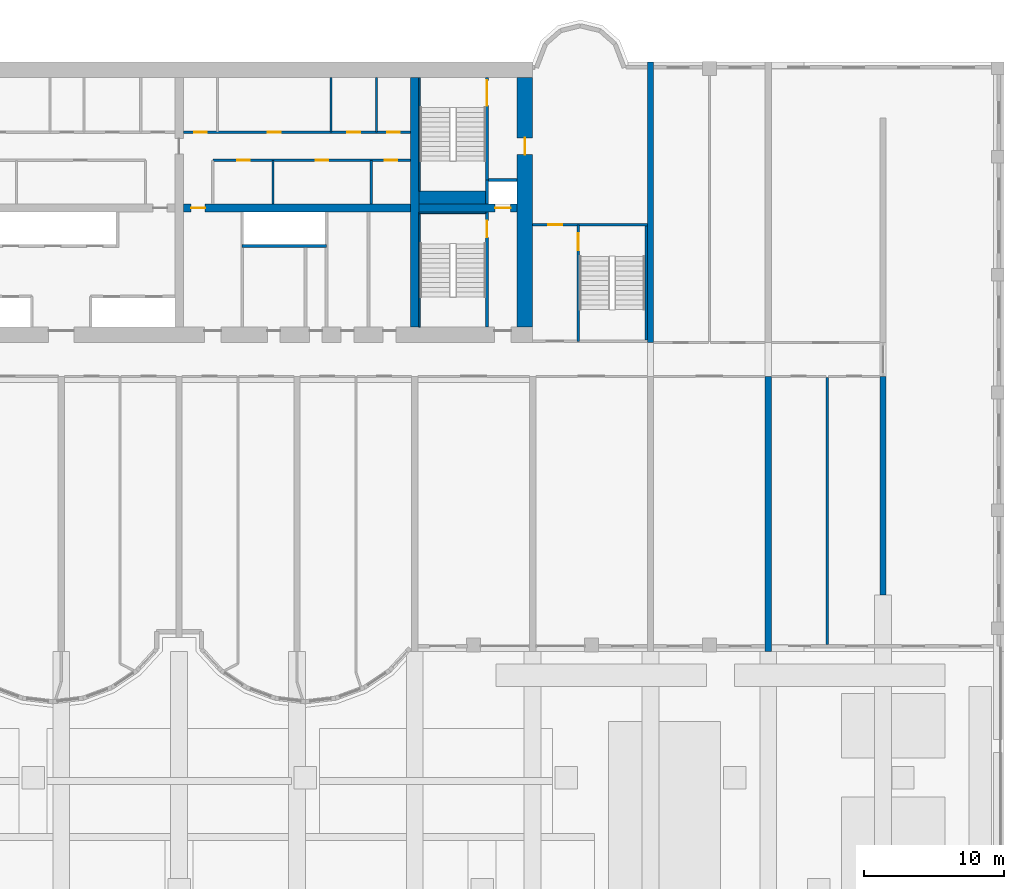
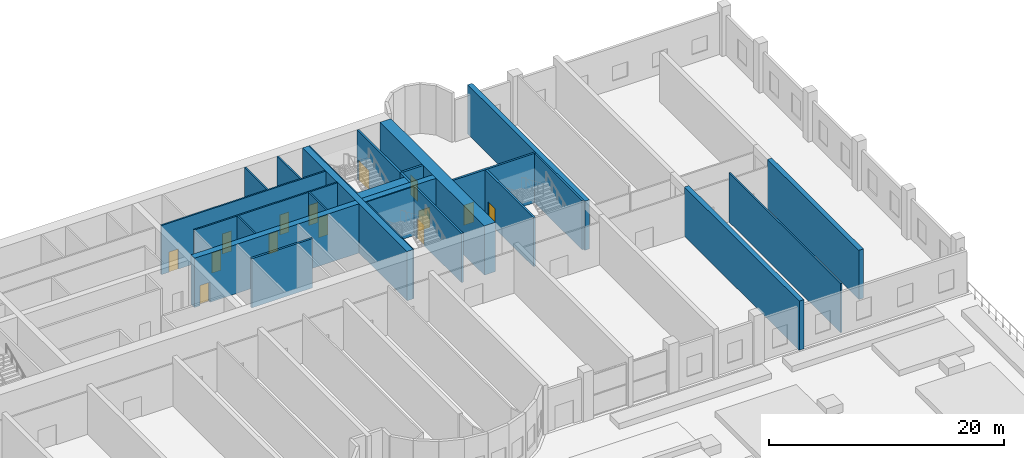
# One storey, part 13 of 20: 26 walls, 14 doors, 14 openings.
"""IFC4 building model written with IfcOpenShell, lengths in metres."""

from ifc_helpers import new_model, si_unit, direction, frame, frame_2d, origin, place, context, subcontext, project, spatial, rectangle, extrude, source, transform, mapped, material, layer, layer_set, type_object, element, fill, save


model = new_model("IFC4")

# Units and contexts
model_context = context("Model", 3, precision=1e-05, world=origin(), true_north=direction((0.0, 1.0)))
body_context = subcontext(model_context, "Body", "Model", "MODEL_VIEW")
ifc_project = project(units=[si_unit("LENGTHUNIT", "METRE"), si_unit("AREAUNIT", "SQUARE_METRE"), si_unit("VOLUMEUNIT", "CUBIC_METRE"), si_unit("PLANEANGLEUNIT", "RADIAN"), si_unit("MASSUNIT", "GRAM", prefix="KILO")], contexts=[model_context])

# Site, building, storey
site_placement = place(None, origin())
site = spatial("IfcSite", under=ifc_project, at=site_placement, CompositionType="ELEMENT")
building_placement = place(site_placement, origin())
building = spatial("IfcBuilding", under=site, at=building_placement, Name="Vanashikhar Sky Hotel", CompositionType="ELEMENT")
storey_placement = place(building_placement, frame((0.0, 0.0, 6.0)))
storey = spatial("IfcBuildingStorey", under=building, at=storey_placement, Name="L01", CompositionType="ELEMENT", Elevation=6.0)

# Wall, opening, door
ifc_material_1 = material(Name="Concrete M80", Category="concrete")
ifc_layer_1 = layer(ifc_material_1, 1.10009765625)
ifc_layer_set_1 = layer_set([ifc_layer_1], Name="RC core shell wall 1100 Concrete M80")
wall_type_1 = type_object("IfcWallType", Name="RC core shell wall 1100 Concrete M80", PredefinedType="SHEAR", material=ifc_layer_set_1)
shared_shape_1 = source(origin(), body_context, "Body", "SweptSolid", [
    extrude(rectangle(XDim=17.7998046875, YDim=1.10009765625, at=frame_2d((8.89990234375, 0.0))), origin(), (0.0, 0.0, 1.0), 5.1201171875),
])
wall_1_placement = place(storey_placement, frame((75.050048828125, 23.10009765625, 0.0), z_axis=(0.0, 0.0, 1.0), x_axis=(0.0, 1.0, 0.0)))
wall_1 = element("IfcWall", 1, at=wall_1_placement, inside=storey, type_object=wall_type_1, Name="KW-L01-KE", PredefinedType="SHEAR", context=body_context, shape_type="MappedRepresentation", body=[
    mapped(shared_shape_1, transform((0.0, 0.0, 0.0), scale=1.0)),
])
shared_shape_2 = source(origin(), body_context, "Body", "SweptSolid", [
    extrude(rectangle(XDim=1.199951171875, YDim=2.10009765625, at=frame_2d((0.60009765625, 1.050048828125))), frame((0.0, 0.56005859375, 0.0), z_axis=(0.0, -1.0, 0.0), x_axis=(1.0, 0.0, 0.0)), (0.0, 0.0, 1.0), 1.1201171875),
])
opening_1_placement = place(wall_1_placement, frame((12.300048828125, 0.0, 0.0)))
opening_1 = element("IfcOpeningElement", 2, at=opening_1_placement, cuts=wall_1, Name="Opening DC-4-D", PredefinedType="OPENING", context=body_context, shape_type="MappedRepresentation", body=[
    mapped(shared_shape_2, transform((0.0, 0.0, 0.0), scale=1.0)),
])
ifc_material_2 = material(Name="Steel", Category="steel")
door_type_1 = type_object("IfcDoorType", Name="Service door 1200 FD120", OperationType="NOTDEFINED", PredefinedType="DOOR", material=ifc_material_2)
shared_shape_3 = source(origin(), body_context, "Body", "SweptSolid", [
    extrude(rectangle(XDim=1.199951171875, YDim=2.10009765625, at=frame_2d((0.60009765625, 1.050048828125))), frame((0.0, 0.02490234375, 0.0), z_axis=(0.0, -1.0, 0.0), x_axis=(1.0, 0.0, 0.0)), (0.0, 0.0, 1.0), 0.050048828125),
])
door_1_placement = place(opening_1_placement, origin())
door_1 = element("IfcDoor", 3, at=door_1_placement, inside=storey, type_object=door_type_1, Name="Service door 1200 FD120", OperationType="SINGLE_SWING_RIGHT", OverallHeight=2.10009765625, OverallWidth=1.199951171875, PredefinedType="DOOR", context=body_context, shape_type="MappedRepresentation", body=[
    mapped(shared_shape_3, transform((0.0, 0.0, 0.0), scale=1.0)),
])
fill(opening_1, door_1)

# Wall
ifc_layer_2 = layer(ifc_material_1, 0.60009765625)
ifc_layer_set_2 = layer_set([ifc_layer_2], Name="RC core inner wall 600 Concrete M80")
wall_type_2 = type_object("IfcWallType", Name="RC core inner wall 600 Concrete M80", PredefinedType="SHEAR", material=ifc_layer_set_2)
shared_shape_4 = source(origin(), body_context, "Body", "SweptSolid", [
    extrude(rectangle(XDim=17.7998046875, YDim=0.60009765625, at=frame_2d((8.89990234375, 0.0))), origin(), (0.0, 0.0, 1.0), 5.1201171875),
])
wall_2_placement = place(storey_placement, frame((67.199951171875, 23.10009765625, 0.0), z_axis=(0.0, 0.0, 1.0), x_axis=(0.0, 1.0, 0.0)))
element("IfcWall", 4, at=wall_2_placement, inside=storey, type_object=wall_type_2, Name="KW-L01-KX3", PredefinedType="SHEAR", context=body_context, shape_type="MappedRepresentation", body=[
    mapped(shared_shape_4, transform((0.0, 0.0, 0.0), scale=1.0)),
])

# Wall, opening, door
shared_shape_5 = source(origin(), body_context, "Body", "SweptSolid", [
    extrude(rectangle(XDim=7.0, YDim=0.60009765625, at=frame_2d((3.5, 0.0))), origin(), (0.0, 0.0, 1.0), 5.1201171875),
])
wall_3_placement = place(storey_placement, frame((67.5, 31.60009765625, 0.0), z_axis=(0.0, 0.0, 1.0), x_axis=(1.0, 0.0, 0.0)))
wall_3 = element("IfcWall", 5, at=wall_3_placement, inside=storey, type_object=wall_type_2, Name="KW-L01-KY4", PredefinedType="SHEAR", context=body_context, shape_type="MappedRepresentation", body=[
    mapped(shared_shape_5, transform((0.0, 0.0, 0.0), scale=1.0)),
])
shared_shape_6 = source(origin(), body_context, "Body", "SweptSolid", [
    extrude(rectangle(XDim=1.10009765625, YDim=2.10009765625, at=frame_2d((0.550048828125, 1.050048828125))), frame((0.0, 0.31005859375, 0.0), z_axis=(0.0, -1.0, 0.0), x_axis=(1.0, 0.0, 0.0)), (0.0, 0.0, 1.0), 0.6201171875),
])
opening_2_placement = place(wall_3_placement, frame((5.425048828125, 0.0, 0.0)))
opening_2 = element("IfcOpeningElement", 6, at=opening_2_placement, cuts=wall_3, Name="Opening LD", PredefinedType="OPENING", context=body_context, shape_type="MappedRepresentation", body=[
    mapped(shared_shape_6, transform((0.0, 0.0, 0.0), scale=1.0)),
])
ifc_material_3 = material(Name="Stainless steel", Category="steel")
door_type_2 = type_object("IfcDoorType", Name="Lift landing door 1100", OperationType="NOTDEFINED", PredefinedType="DOOR", material=ifc_material_3)
shared_shape_7 = source(origin(), body_context, "Body", "SweptSolid", [
    extrude(rectangle(XDim=1.10009765625, YDim=2.10009765625, at=frame_2d((0.550048828125, 1.050048828125))), frame((0.0, 0.02490234375, 0.0), z_axis=(0.0, -1.0, 0.0), x_axis=(1.0, 0.0, 0.0)), (0.0, 0.0, 1.0), 0.050048828125),
])
door_2_placement = place(opening_2_placement, origin())
door_2 = element("IfcDoor", 7, at=door_2_placement, inside=storey, type_object=door_type_2, Name="Lift landing door 1100", OperationType="SLIDING_TO_RIGHT", OverallHeight=2.10009765625, OverallWidth=1.10009765625, PredefinedType="DOOR", context=body_context, shape_type="MappedRepresentation", body=[
    mapped(shared_shape_7, transform((0.0, 0.0, 0.0), scale=1.0)),
])
fill(opening_2, door_2)

shared_shape_8 = source(origin(), body_context, "Body", "SweptSolid", [
    extrude(rectangle(XDim=16.199951171875, YDim=0.60009765625, at=frame_2d((8.10009765625, 0.0))), origin(), (0.0, 0.0, 1.0), 5.1201171875),
])
wall_4_placement = place(storey_placement, frame((50.699951171875, 31.60009765625, 0.0), z_axis=(0.0, 0.0, 1.0), x_axis=(1.0, 0.0, 0.0)))
wall_4 = element("IfcWall", 8, at=wall_4_placement, inside=storey, type_object=wall_type_2, Name="KW-L01-KY3", PredefinedType="SHEAR", context=body_context, shape_type="MappedRepresentation", body=[
    mapped(shared_shape_8, transform((0.0, 0.0, 0.0), scale=1.0)),
])
shared_shape_9 = source(origin(), body_context, "Body", "SweptSolid", [
    extrude(rectangle(XDim=1.0, YDim=2.10009765625, at=frame_2d((0.5, 1.050048828125))), frame((0.0, 0.31005859375, 0.0), z_axis=(0.0, -1.0, 0.0), x_axis=(1.0, 0.0, 0.0)), (0.0, 0.0, 1.0), 0.6201171875),
])
opening_3_placement = place(wall_4_placement, frame((0.550048828125, 0.0, 0.0)))
opening_3 = element("IfcOpeningElement", 9, at=opening_3_placement, cuts=wall_4, Name="Opening DC-4", PredefinedType="OPENING", context=body_context, shape_type="MappedRepresentation", body=[
    mapped(shared_shape_9, transform((0.0, 0.0, 0.0), scale=1.0)),
])
door_type_3 = type_object("IfcDoorType", Name="Service door 1000 FD60", OperationType="NOTDEFINED", PredefinedType="DOOR", material=ifc_material_2)
shared_shape_10 = source(origin(), body_context, "Body", "SweptSolid", [
    extrude(rectangle(XDim=1.0, YDim=2.10009765625, at=frame_2d((0.5, 1.050048828125))), frame((0.0, 0.02490234375, 0.0), z_axis=(0.0, -1.0, 0.0), x_axis=(1.0, 0.0, 0.0)), (0.0, 0.0, 1.0), 0.050048828125),
])
door_3_placement = place(opening_3_placement, origin())
door_3 = element("IfcDoor", 10, at=door_3_placement, inside=storey, type_object=door_type_3, Name="Service door 1000 FD60", OperationType="SINGLE_SWING_RIGHT", OverallHeight=2.10009765625, OverallWidth=1.0, PredefinedType="DOOR", context=body_context, shape_type="MappedRepresentation", body=[
    mapped(shared_shape_10, transform((0.0, 0.0, 0.0), scale=1.0)),
])
fill(opening_3, door_3)

# Walls
ifc_layer_3 = layer(ifc_material_1, 0.449951171875)
ifc_layer_set_3 = layer_set([ifc_layer_3], Name="RC shear wall 450 Concrete M80")
wall_type_3 = type_object("IfcWallType", Name="RC shear wall 450 Concrete M80", PredefinedType="SHEAR", material=ifc_layer_set_3)
shared_shape_11 = source(origin(), body_context, "Body", "SweptSolid", [
    extrude(rectangle(XDim=15.60009765625, YDim=0.449951171875, at=frame_2d((7.800048828125, 0.0))), origin(), (0.0, 0.0, 1.0), 5.1201171875),
])
wall_5_placement = place(storey_placement, frame((100.574951171875, 4.0, 0.0), z_axis=(0.0, 0.0, 1.0), x_axis=(0.0, 1.0, 0.0)))
element("IfcWall", 11, at=wall_5_placement, inside=storey, type_object=wall_type_3, Name="CW-L01-XW13-1", PredefinedType="SHEAR", context=body_context, shape_type="MappedRepresentation", body=[
    mapped(shared_shape_11, transform((0.0, 0.0, 0.0), scale=1.0)),
])
shared_shape_12 = source(origin(), body_context, "Body", "SweptSolid", [
    extrude(rectangle(XDim=19.60009765625, YDim=0.449951171875, at=frame_2d((9.800048828125, 0.0))), origin(), (0.0, 0.0, 1.0), 5.1201171875),
])
wall_6_placement = place(storey_placement, frame((92.39990234375, 0.0, 0.0), z_axis=(0.0, 0.0, 1.0), x_axis=(0.0, 1.0, 0.0)))
element("IfcWall", 12, at=wall_6_placement, inside=storey, type_object=wall_type_3, Name="CW-L01-XW12-1", PredefinedType="SHEAR", context=body_context, shape_type="MappedRepresentation", body=[
    mapped(shared_shape_12, transform((0.0, 0.0, 0.0), scale=1.0)),
])
shared_shape_13 = source(origin(), body_context, "Body", "SweptSolid", [
    extrude(rectangle(XDim=20.0, YDim=0.449951171875, at=frame_2d((10.0, 0.0))), origin(), (0.0, 0.0, 1.0), 5.1201171875),
])
wall_7_placement = place(storey_placement, frame((84.0, 22.0, 0.0), z_axis=(0.0, 0.0, 1.0), x_axis=(0.0, 1.0, 0.0)))
element("IfcWall", 13, at=wall_7_placement, inside=storey, type_object=wall_type_3, Name="CW-L01-XW11-2", PredefinedType="SHEAR", context=body_context, shape_type="MappedRepresentation", body=[
    mapped(shared_shape_13, transform((0.0, 0.0, 0.0), scale=1.0)),
])
ifc_material_4 = material(Name="Concrete M40", Category="concrete")
ifc_layer_4 = layer(ifc_material_4, 0.199951171875)
ifc_layer_set_4 = layer_set([ifc_layer_4], Name="Shaft wall 200")
wall_type_4 = type_object("IfcWallType", Name="Shaft wall 200", PredefinedType="SOLIDWALL", material=ifc_layer_set_4)
shared_shape_14 = source(origin(), body_context, "Body", "SweptSolid", [
    extrude(rectangle(XDim=6.0, YDim=0.199951171875, at=frame_2d((3.0, 0.0))), origin(), (0.0, 0.0, 1.0), 5.1201171875),
])
wall_8_placement = place(storey_placement, frame((60.89990234375, 28.89990234375, 0.0), z_axis=(0.0, 0.0, 1.0), x_axis=(-1.0, 0.0, 0.0)))
element("IfcWall", 14, at=wall_8_placement, inside=storey, type_object=wall_type_4, Name="Shaft wall 200", PredefinedType="SOLIDWALL", context=body_context, shape_type="MappedRepresentation", body=[
    mapped(shared_shape_14, transform((0.0, 0.0, 0.0), scale=1.0)),
])
ifc_material_5 = material(Name="Gypsum board partition")
ifc_layer_5 = layer(ifc_material_5, 0.14990234375)
ifc_layer_set_5 = layer_set([ifc_layer_5], Name="Service partition 150")
wall_type_5 = type_object("IfcWallType", Name="Service partition 150", PredefinedType="PARTITIONING", material=ifc_layer_set_5)
shared_shape_15 = source(origin(), body_context, "Body", "SweptSolid", [
    extrude(rectangle(XDim=3.10009765625, YDim=0.14990234375, at=frame_2d((1.550048828125, 0.0))), origin(), (0.0, 0.0, 1.0), 5.1201171875),
])
for number, where, z_axis, x_axis, name in (
    (15, (64.094970703125, 31.89990234375, 0.0), (0.0, 0.0, 1.0), (0.0, 1.0, 0.0), "Service partition 150"),
    (16, (57.08203125, 31.89990234375, 0.0), (0.0, 0.0, 1.0), (0.0, 1.0, 0.0), "Service partition 150"),
):
    element("IfcWall", number, at=place(storey_placement, frame(where, z_axis=z_axis, x_axis=x_axis)), inside=storey, type_object=wall_type_5, Name=name, PredefinedType="PARTITIONING", context=body_context, shape_type="MappedRepresentation", body=[
        mapped(shared_shape_15, transform((0.0, 0.0, 0.0), scale=1.0)),
    ])
shared_shape_16 = source(origin(), body_context, "Body", "SweptSolid", [
    extrude(rectangle(XDim=3.89990234375, YDim=0.14990234375, at=frame_2d((1.949951171875, 0.0))), origin(), (0.0, 0.0, 1.0), 5.1201171875),
])
for number, where, z_axis, x_axis, name in (
    (17, (64.469970703125, 37.0, 0.0), (0.0, 0.0, 1.0), (0.0, 1.0, 0.0), "Service partition 150"),
    (18, (61.22998046875, 37.0, 0.0), (0.0, 0.0, 1.0), (0.0, 1.0, 0.0), "Service partition 150"),
):
    element("IfcWall", number, at=place(storey_placement, frame(where, z_axis=z_axis, x_axis=x_axis)), inside=storey, type_object=wall_type_5, Name=name, PredefinedType="PARTITIONING", context=body_context, shape_type="MappedRepresentation", body=[
        mapped(shared_shape_16, transform((0.0, 0.0, 0.0), scale=1.0)),
    ])

# Wall, openings, doors
shared_shape_17 = source(origin(), body_context, "Body", "SweptSolid", [
    extrude(rectangle(XDim=14.099853515625, YDim=0.14990234375, at=frame_2d((7.0498046875, 0.0))), origin(), (0.0, 0.0, 1.0), 5.1201171875),
])
wall_9_placement = place(storey_placement, frame((66.89990234375, 35.0, 0.0), z_axis=(0.0, 0.0, 1.0), x_axis=(-1.0, 0.0, 0.0)))
wall_9 = element("IfcWall", 19, at=wall_9_placement, inside=storey, type_object=wall_type_5, Name="Service partition 150", PredefinedType="PARTITIONING", context=body_context, shape_type="MappedRepresentation", body=[
    mapped(shared_shape_17, transform((0.0, 0.0, 0.0), scale=1.0)),
])
shared_shape_18 = source(origin(), body_context, "Body", "SweptSolid", [
    extrude(rectangle(XDim=0.89990234375, YDim=2.10009765625, at=frame_2d((0.449951171875, 1.050048828125))), frame((0.0, 0.0849609375, 0.0), z_axis=(0.0, -1.0, 0.0), x_axis=(1.0, 0.0, 0.0)), (0.0, 0.0, 1.0), 0.169921875),
])
opening_4_placement = place(wall_9_placement, frame((0.951904296875, 0.0, 0.0)))
opening_4 = element("IfcOpeningElement", 20, at=opening_4_placement, cuts=wall_9, Name="Opening DC-4-A", PredefinedType="OPENING", context=body_context, shape_type="MappedRepresentation", body=[
    mapped(shared_shape_18, transform((0.0, 0.0, 0.0), scale=1.0)),
])
opening_5_placement = place(wall_9_placement, frame((5.861083984375, 0.0, 0.0)))
opening_5 = element("IfcOpeningElement", 21, at=opening_5_placement, cuts=wall_9, Name="Opening DC-4-A", PredefinedType="OPENING", context=body_context, shape_type="MappedRepresentation", body=[
    mapped(shared_shape_18, transform((0.0, 0.0, 0.0), scale=1.0)),
])
opening_6_placement = place(wall_9_placement, frame((11.470947265625, 0.0, 0.0)))
opening_6 = element("IfcOpeningElement", 22, at=opening_6_placement, cuts=wall_9, Name="Opening DC-4-A", PredefinedType="OPENING", context=body_context, shape_type="MappedRepresentation", body=[
    mapped(shared_shape_18, transform((0.0, 0.0, 0.0), scale=1.0)),
])
door_type_4 = type_object("IfcDoorType", Name="Service door 900 FD60", OperationType="NOTDEFINED", PredefinedType="DOOR", material=ifc_material_2)
shared_shape_19 = source(origin(), body_context, "Body", "SweptSolid", [
    extrude(rectangle(XDim=0.89990234375, YDim=2.10009765625, at=frame_2d((0.449951171875, 1.050048828125))), frame((0.0, 0.02490234375, 0.0), z_axis=(0.0, -1.0, 0.0), x_axis=(1.0, 0.0, 0.0)), (0.0, 0.0, 1.0), 0.050048828125),
])
door_4_placement = place(opening_4_placement, origin())
door_4 = element("IfcDoor", 23, at=door_4_placement, inside=storey, type_object=door_type_4, Name="Service door 900 FD60", OperationType="SINGLE_SWING_RIGHT", OverallHeight=2.10009765625, OverallWidth=0.89990234375, PredefinedType="DOOR", context=body_context, shape_type="MappedRepresentation", body=[
    mapped(shared_shape_19, transform((0.0, 0.0, 0.0), scale=1.0)),
])
fill(opening_4, door_4)
door_5_placement = place(opening_5_placement, origin())
door_5 = element("IfcDoor", 24, at=door_5_placement, inside=storey, type_object=door_type_4, Name="Service door 900 FD60", OperationType="SINGLE_SWING_RIGHT", OverallHeight=2.10009765625, OverallWidth=0.89990234375, PredefinedType="DOOR", context=body_context, shape_type="MappedRepresentation", body=[
    mapped(shared_shape_19, transform((0.0, 0.0, 0.0), scale=1.0)),
])
fill(opening_5, door_5)
door_6_placement = place(opening_6_placement, origin())
door_6 = element("IfcDoor", 25, at=door_6_placement, inside=storey, type_object=door_type_4, Name="Service door 900 FD60", OperationType="SINGLE_SWING_LEFT", OverallHeight=2.10009765625, OverallWidth=0.89990234375, PredefinedType="DOOR", context=body_context, shape_type="MappedRepresentation", body=[
    mapped(shared_shape_19, transform((0.0, 0.0, 0.0), scale=1.0)),
])
fill(opening_6, door_6)

shared_shape_20 = source(origin(), body_context, "Body", "SweptSolid", [
    extrude(rectangle(XDim=16.199951171875, YDim=0.14990234375, at=frame_2d((8.10009765625, 0.0))), origin(), (0.0, 0.0, 1.0), 5.1201171875),
])
wall_10_placement = place(storey_placement, frame((66.89990234375, 37.0, 0.0), z_axis=(0.0, 0.0, 1.0), x_axis=(-1.0, 0.0, 0.0)))
wall_10 = element("IfcWall", 26, at=wall_10_placement, inside=storey, type_object=wall_type_5, Name="Service partition 150", PredefinedType="PARTITIONING", context=body_context, shape_type="MappedRepresentation", body=[
    mapped(shared_shape_20, transform((0.0, 0.0, 0.0), scale=1.0)),
])
opening_7_placement = place(wall_10_placement, frame((0.764892578125, 0.0, 0.0)))
opening_7 = element("IfcOpeningElement", 27, at=opening_7_placement, cuts=wall_10, Name="Opening DC-4-A", PredefinedType="OPENING", context=body_context, shape_type="MappedRepresentation", body=[
    mapped(shared_shape_18, transform((0.0, 0.0, 0.0), scale=1.0)),
])
opening_8_placement = place(wall_10_placement, frame((3.60009765625, 0.0, 0.0)))
opening_8 = element("IfcOpeningElement", 28, at=opening_8_placement, cuts=wall_10, Name="Opening DC-4-A", PredefinedType="OPENING", context=body_context, shape_type="MappedRepresentation", body=[
    mapped(shared_shape_18, transform((0.0, 0.0, 0.0), scale=1.0)),
])
opening_9_placement = place(wall_10_placement, frame((9.27001953125, 0.0, 0.0)))
opening_9 = element("IfcOpeningElement", 29, at=opening_9_placement, cuts=wall_10, Name="Opening DC-4-A", PredefinedType="OPENING", context=body_context, shape_type="MappedRepresentation", body=[
    mapped(shared_shape_18, transform((0.0, 0.0, 0.0), scale=1.0)),
])
opening_10_placement = place(wall_10_placement, frame((14.534912109375, 0.0, 0.0)))
opening_10 = element("IfcOpeningElement", 30, at=opening_10_placement, cuts=wall_10, Name="Opening DC-4-A", PredefinedType="OPENING", context=body_context, shape_type="MappedRepresentation", body=[
    mapped(shared_shape_18, transform((0.0, 0.0, 0.0), scale=1.0)),
])
door_7_placement = place(opening_7_placement, origin())
door_7 = element("IfcDoor", 31, at=door_7_placement, inside=storey, type_object=door_type_4, Name="Service door 900 FD60", OperationType="SINGLE_SWING_LEFT", OverallHeight=2.10009765625, OverallWidth=0.89990234375, PredefinedType="DOOR", context=body_context, shape_type="MappedRepresentation", body=[
    mapped(shared_shape_19, transform((0.0, 0.0, 0.0), scale=1.0)),
])
fill(opening_7, door_7)
door_8_placement = place(opening_8_placement, origin())
door_8 = element("IfcDoor", 32, at=door_8_placement, inside=storey, type_object=door_type_4, Name="Service door 900 FD60", OperationType="SINGLE_SWING_LEFT", OverallHeight=2.10009765625, OverallWidth=0.89990234375, PredefinedType="DOOR", context=body_context, shape_type="MappedRepresentation", body=[
    mapped(shared_shape_19, transform((0.0, 0.0, 0.0), scale=1.0)),
])
fill(opening_8, door_8)
door_9_placement = place(opening_9_placement, origin())
door_9 = element("IfcDoor", 33, at=door_9_placement, inside=storey, type_object=door_type_4, Name="Service door 900 FD60", OperationType="SINGLE_SWING_RIGHT", OverallHeight=2.10009765625, OverallWidth=0.89990234375, PredefinedType="DOOR", context=body_context, shape_type="MappedRepresentation", body=[
    mapped(shared_shape_19, transform((0.0, 0.0, 0.0), scale=1.0)),
])
fill(opening_9, door_9)
door_10_placement = place(opening_10_placement, origin())
door_10 = element("IfcDoor", 34, at=door_10_placement, inside=storey, type_object=door_type_4, Name="Service door 900 FD60", OperationType="SINGLE_SWING_RIGHT", OverallHeight=2.10009765625, OverallWidth=0.89990234375, PredefinedType="DOOR", context=body_context, shape_type="MappedRepresentation", body=[
    mapped(shared_shape_19, transform((0.0, 0.0, 0.0), scale=1.0)),
])
fill(opening_10, door_10)

# Wall, opening, door
ifc_material_6 = material(Name="Concrete M50", Category="concrete")
ifc_layer_6 = layer(ifc_material_6, 0.199951171875)
ifc_layer_set_6 = layer_set([ifc_layer_6], Name="Stair wall 200")
wall_type_6 = type_object("IfcWallType", Name="Stair wall 200", PredefinedType="SOLIDWALL", material=ifc_layer_set_6)
shared_shape_21 = source(origin(), body_context, "Body", "SweptSolid", [
    extrude(rectangle(XDim=8.199951171875, YDim=0.199951171875, at=frame_2d((4.10009765625, 0.0))), origin(), (0.0, 0.0, 1.0), 5.1201171875),
])
wall_11_placement = place(storey_placement, frame((72.35009765625, 23.10009765625, 0.0), z_axis=(0.0, 0.0, 1.0), x_axis=(0.0, 1.0, 0.0)))
wall_11 = element("IfcWall", 35, at=wall_11_placement, inside=storey, type_object=wall_type_6, Name="Stair wall 200", PredefinedType="SOLIDWALL", context=body_context, shape_type="MappedRepresentation", body=[
    mapped(shared_shape_21, transform((0.0, 0.0, 0.0), scale=1.0)),
])
shared_shape_22 = source(origin(), body_context, "Body", "SweptSolid", [
    extrude(rectangle(XDim=1.199951171875, YDim=2.10009765625, at=frame_2d((0.60009765625, 1.050048828125))), frame((0.0, 0.10986328125, 0.0), z_axis=(0.0, -1.0, 0.0), x_axis=(1.0, 0.0, 0.0)), (0.0, 0.0, 1.0), 0.219970703125),
])
opening_11_placement = place(wall_11_placement, frame((6.39990234375, 0.0, 0.0)))
opening_11 = element("IfcOpeningElement", 36, at=opening_11_placement, cuts=wall_11, Name="Opening DC-1", PredefinedType="OPENING", context=body_context, shape_type="MappedRepresentation", body=[
    mapped(shared_shape_22, transform((0.0, 0.0, 0.0), scale=1.0)),
])
door_type_5 = type_object("IfcDoorType", Name="Stair door 1200 FD120", OperationType="NOTDEFINED", PredefinedType="DOOR", material=ifc_material_2)
door_11_placement = place(opening_11_placement, origin())
door_11 = element("IfcDoor", 37, at=door_11_placement, inside=storey, type_object=door_type_5, Name="Stair door 1200 FD120", OperationType="SINGLE_SWING_LEFT", OverallHeight=2.10009765625, OverallWidth=1.199951171875, PredefinedType="DOOR", context=body_context, shape_type="MappedRepresentation", body=[
    mapped(shared_shape_3, transform((0.0, 0.0, 0.0), scale=1.0)),
])
fill(opening_11, door_11)

# Wall
shared_shape_23 = source(origin(), body_context, "Body", "SweptSolid", [
    extrude(rectangle(XDim=1.7001953125, YDim=0.199951171875, at=frame_2d((0.85009765625, 0.0))), origin(), (0.0, 0.0, 1.0), 5.1201171875),
])
wall_12_placement = place(storey_placement, frame((72.35009765625, 31.89990234375, 0.0), z_axis=(0.0, 0.0, 1.0), x_axis=(0.0, 1.0, 0.0)))
element("IfcWall", 38, at=wall_12_placement, inside=storey, type_object=wall_type_4, Name="Shaft wall 200", PredefinedType="SOLIDWALL", context=body_context, shape_type="MappedRepresentation", body=[
    mapped(shared_shape_23, transform((0.0, 0.0, 0.0), scale=1.0)),
])

# Wall, opening, door
shared_shape_24 = source(origin(), body_context, "Body", "SweptSolid", [
    extrude(rectangle(XDim=7.2998046875, YDim=0.199951171875, at=frame_2d((3.64990234375, 0.0))), origin(), (0.0, 0.0, 1.0), 5.1201171875),
])
wall_13_placement = place(storey_placement, frame((72.35009765625, 33.60009765625, 0.0), z_axis=(0.0, 0.0, 1.0), x_axis=(0.0, 1.0, 0.0)))
wall_13 = element("IfcWall", 39, at=wall_13_placement, inside=storey, type_object=wall_type_6, Name="Stair wall 200", PredefinedType="SOLIDWALL", context=body_context, shape_type="MappedRepresentation", body=[
    mapped(shared_shape_24, transform((0.0, 0.0, 0.0), scale=1.0)),
])
shared_shape_25 = source(origin(), body_context, "Body", "SweptSolid", [
    extrude(rectangle(XDim=1.800048828125, YDim=2.10009765625, at=frame_2d((0.89990234375, 1.050048828125))), frame((0.0, 0.10986328125, 0.0), z_axis=(0.0, -1.0, 0.0), x_axis=(1.0, 0.0, 0.0)), (0.0, 0.0, 1.0), 0.219970703125),
])
opening_12_placement = place(wall_13_placement, frame((5.300048828125, 0.0, 0.0)))
opening_12 = element("IfcOpeningElement", 40, at=opening_12_placement, cuts=wall_13, Name="Opening DC-1-A", PredefinedType="OPENING", context=body_context, shape_type="MappedRepresentation", body=[
    mapped(shared_shape_25, transform((0.0, 0.0, 0.0), scale=1.0)),
])
door_type_6 = type_object("IfcDoorType", Name="Stair door 1800 FD120", OperationType="NOTDEFINED", PredefinedType="DOOR", material=ifc_material_2)
shared_shape_26 = source(origin(), body_context, "Body", "SweptSolid", [
    extrude(rectangle(XDim=1.800048828125, YDim=2.10009765625, at=frame_2d((0.89990234375, 1.050048828125))), frame((0.0, 0.02490234375, 0.0), z_axis=(0.0, -1.0, 0.0), x_axis=(1.0, 0.0, 0.0)), (0.0, 0.0, 1.0), 0.050048828125),
])
door_12_placement = place(opening_12_placement, origin())
door_12 = element("IfcDoor", 41, at=door_12_placement, inside=storey, type_object=door_type_6, Name="Stair door 1800 FD120", OperationType="SINGLE_SWING_LEFT", OverallHeight=2.10009765625, OverallWidth=1.800048828125, PredefinedType="DOOR", context=body_context, shape_type="MappedRepresentation", body=[
    mapped(shared_shape_26, transform((0.0, 0.0, 0.0), scale=1.0)),
])
fill(opening_12, door_12)

# Wall
shared_shape_27 = source(origin(), body_context, "Body", "SweptSolid", [
    extrude(rectangle(XDim=2.050048828125, YDim=0.199951171875, at=frame_2d((1.02490234375, 0.0))), origin(), (0.0, 0.0, 1.0), 5.1201171875),
])
wall_14_placement = place(storey_placement, frame((72.449951171875, 33.60009765625, 0.0), z_axis=(0.0, 0.0, 1.0), x_axis=(1.0, 0.0, 0.0)))
element("IfcWall", 42, at=wall_14_placement, inside=storey, type_object=wall_type_4, Name="Shaft wall 200", PredefinedType="SOLIDWALL", context=body_context, shape_type="MappedRepresentation", body=[
    mapped(shared_shape_27, transform((0.0, 0.0, 0.0), scale=1.0)),
])

# Wall, opening, door
shared_shape_28 = source(origin(), body_context, "Body", "SweptSolid", [
    extrude(rectangle(XDim=8.2998046875, YDim=0.199951171875, at=frame_2d((4.14990234375, 0.0))), origin(), (0.0, 0.0, 1.0), 5.1201171875),
])
wall_15_placement = place(storey_placement, frame((78.85009765625, 22.10009765625, 0.0), z_axis=(0.0, 0.0, 1.0), x_axis=(0.0, 1.0, 0.0)))
wall_15 = element("IfcWall", 43, at=wall_15_placement, inside=storey, type_object=wall_type_6, Name="Stair wall 200", PredefinedType="SOLIDWALL", context=body_context, shape_type="MappedRepresentation", body=[
    mapped(shared_shape_28, transform((0.0, 0.0, 0.0), scale=1.0)),
])
opening_13_placement = place(wall_15_placement, frame((6.5, 0.0, 0.0)))
opening_13 = element("IfcOpeningElement", 44, at=opening_13_placement, cuts=wall_15, Name="Opening DC-1", PredefinedType="OPENING", context=body_context, shape_type="MappedRepresentation", body=[
    mapped(shared_shape_22, transform((0.0, 0.0, 0.0), scale=1.0)),
])
door_13_placement = place(opening_13_placement, origin())
door_13 = element("IfcDoor", 45, at=door_13_placement, inside=storey, type_object=door_type_5, Name="Stair door 1200 FD120", OperationType="SINGLE_SWING_RIGHT", OverallHeight=2.10009765625, OverallWidth=1.199951171875, PredefinedType="DOOR", context=body_context, shape_type="MappedRepresentation", body=[
    mapped(shared_shape_3, transform((0.0, 0.0, 0.0), scale=1.0)),
])
fill(opening_13, door_13)

shared_shape_29 = source(origin(), body_context, "Body", "SweptSolid", [
    extrude(rectangle(XDim=8.1748046875, YDim=0.199951171875, at=frame_2d((4.08740234375, 0.0))), origin(), (0.0, 0.0, 1.0), 5.1201171875),
])
wall_16_placement = place(storey_placement, frame((83.77490234375, 30.39990234375, 0.0), z_axis=(0.0, 0.0, 1.0), x_axis=(-1.0, 0.0, 0.0)))
wall_16 = element("IfcWall", 46, at=wall_16_placement, inside=storey, type_object=wall_type_6, Name="Stair wall 200", PredefinedType="SOLIDWALL", context=body_context, shape_type="MappedRepresentation", body=[
    mapped(shared_shape_29, transform((0.0, 0.0, 0.0), scale=1.0)),
])
shared_shape_30 = source(origin(), body_context, "Body", "SweptSolid", [
    extrude(rectangle(XDim=1.0, YDim=2.10009765625, at=frame_2d((0.5, 1.050048828125))), frame((0.0, 0.10986328125, 0.0), z_axis=(0.0, -1.0, 0.0), x_axis=(1.0, 0.0, 0.0)), (0.0, 0.0, 1.0), 0.219970703125),
])
opening_14_placement = place(wall_16_placement, frame((6.074951171875, 0.0, 0.0)))
opening_14 = element("IfcOpeningElement", 47, at=opening_14_placement, cuts=wall_16, Name="Opening DC-6", PredefinedType="OPENING", context=body_context, shape_type="MappedRepresentation", body=[
    mapped(shared_shape_30, transform((0.0, 0.0, 0.0), scale=1.0)),
])
door_type_7 = type_object("IfcDoorType", Name="Pocket door 1000 FD60", OperationType="NOTDEFINED", PredefinedType="DOOR", material=ifc_material_2)
door_14_placement = place(opening_14_placement, origin())
door_14 = element("IfcDoor", 48, at=door_14_placement, inside=storey, type_object=door_type_7, Name="Pocket door 1000 FD60", OperationType="SINGLE_SWING_RIGHT", OverallHeight=2.10009765625, OverallWidth=1.0, PredefinedType="DOOR", context=body_context, shape_type="MappedRepresentation", body=[
    mapped(shared_shape_10, transform((0.0, 0.0, 0.0), scale=1.0)),
])
fill(opening_14, door_14)

# Walls
ifc_layer_7 = layer(ifc_material_6, 0.10009765625)
ifc_layer_set_7 = layer_set([ifc_layer_7], Name="Stair infill wall 100")
wall_type_7 = type_object("IfcWallType", Name="Stair infill wall 100", PredefinedType="SOLIDWALL", material=ifc_layer_set_7)
shared_shape_31 = source(origin(), body_context, "Body", "SweptSolid", [
    extrude(rectangle(XDim=4.75, YDim=0.10009765625, at=frame_2d((2.375, 0.0))), origin(), (0.0, 0.0, 1.0), 5.1201171875),
])
wall_17_placement = place(storey_placement, frame((67.5, 31.25, 0.0), z_axis=(0.0, 0.0, 1.0), x_axis=(1.0, 0.0, 0.0)))
element("IfcWall", 49, at=wall_17_placement, inside=storey, type_object=wall_type_7, Name="Stair infill wall 100", PredefinedType="SOLIDWALL", context=body_context, shape_type="MappedRepresentation", body=[
    mapped(shared_shape_31, transform((0.0, 0.0, 0.0), scale=1.0)),
])
shared_shape_32 = source(origin(), body_context, "Body", "SweptSolid", [
    extrude(rectangle(XDim=8.099853515625, YDim=0.10009765625, at=frame_2d((4.0498046875, 0.0))), origin(), (0.0, 0.0, 1.0), 5.1201171875),
])
for number, where, z_axis, x_axis, name in (
    (50, (67.550048828125, 23.10009765625, 0.0), (0.0, 0.0, 1.0), (0.0, 1.0, 0.0), "Stair infill wall 100"),
    (51, (67.550048828125, 32.800048828125, 0.0), (0.0, 0.0, 1.0), (0.0, 1.0, 0.0), "Stair infill wall 100"),
):
    element("IfcWall", number, at=place(storey_placement, frame(where, z_axis=z_axis, x_axis=x_axis)), inside=storey, type_object=wall_type_7, Name=name, PredefinedType="SOLIDWALL", context=body_context, shape_type="MappedRepresentation", body=[
        mapped(shared_shape_32, transform((0.0, 0.0, 0.0), scale=1.0)),
    ])
ifc_layer_8 = layer(ifc_material_6, 0.175048828125)
ifc_layer_set_8 = layer_set([ifc_layer_8], Name="Stair infill wall 175")
wall_type_8 = type_object("IfcWallType", Name="Stair infill wall 175", PredefinedType="SOLIDWALL", material=ifc_layer_set_8)
shared_shape_33 = source(origin(), body_context, "Body", "SweptSolid", [
    extrude(rectangle(XDim=8.10009765625, YDim=0.175048828125, at=frame_2d((4.050048828125, 0.0))), origin(), (0.0, 0.0, 1.0), 5.1201171875),
])
wall_18_placement = place(storey_placement, frame((83.68798828125, 22.199951171875, 0.0), z_axis=(0.0, 0.0, 1.0), x_axis=(0.0, 1.0, 0.0)))
element("IfcWall", 52, at=wall_18_placement, inside=storey, type_object=wall_type_8, Name="Stair infill wall 175", PredefinedType="SOLIDWALL", context=body_context, shape_type="MappedRepresentation", body=[
    mapped(shared_shape_33, transform((0.0, 0.0, 0.0), scale=1.0)),
])
ifc_layer_9 = layer(ifc_material_6, 0.89990234375)
ifc_layer_set_9 = layer_set([ifc_layer_9], Name="Stair infill wall 900")
wall_type_9 = type_object("IfcWallType", Name="Stair infill wall 900", PredefinedType="SOLIDWALL", material=ifc_layer_set_9)
shared_shape_34 = source(origin(), body_context, "Body", "SweptSolid", [
    extrude(rectangle(XDim=4.75, YDim=0.89990234375, at=frame_2d((2.375, 0.0))), origin(), (0.0, 0.0, 1.0), 5.1201171875),
])
wall_19_placement = place(storey_placement, frame((67.5, 32.35009765625, 0.0), z_axis=(0.0, 0.0, 1.0), x_axis=(1.0, 0.0, 0.0)))
element("IfcWall", 53, at=wall_19_placement, inside=storey, type_object=wall_type_9, Name="Stair infill wall 900", PredefinedType="SOLIDWALL", context=body_context, shape_type="MappedRepresentation", body=[
    mapped(shared_shape_34, transform((0.0, 0.0, 0.0), scale=1.0)),
])
ifc_material_7 = material(Name="Gypsum plasterboard partition")
ifc_layer_10 = layer(ifc_material_7, 0.14990234375)
ifc_layer_set_10 = layer_set([ifc_layer_10], Name="Corridor and demising partition 150")
wall_type_10 = type_object("IfcWallType", Name="Corridor and demising partition 150", PredefinedType="PARTITIONING", material=ifc_layer_set_10)
shared_shape_35 = source(origin(), body_context, "Body", "SweptSolid", [
    extrude(rectangle(XDim=19.02490234375, YDim=0.14990234375, at=frame_2d((9.512451171875, 0.0))), origin(), (0.0, 0.0, 1.0), 5.1201171875),
])
wall_20_placement = place(storey_placement, frame((96.60009765625, 0.5, 0.0), z_axis=(0.0, 0.0, 1.0), x_axis=(0.0, 1.0, 0.0)))
element("IfcWall", 54, at=wall_20_placement, inside=storey, type_object=wall_type_10, Name="W-L01-PW022", PredefinedType="PARTITIONING", context=body_context, shape_type="MappedRepresentation", body=[
    mapped(shared_shape_35, transform((0.0, 0.0, 0.0), scale=1.0)),
])

save(model, "model.ifc")
